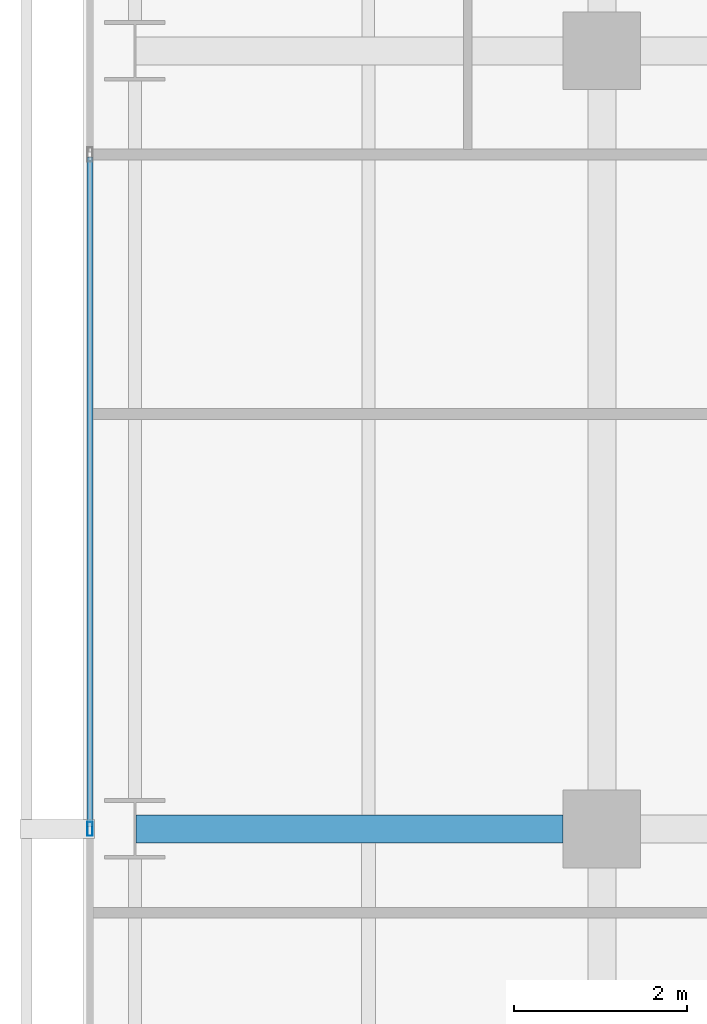
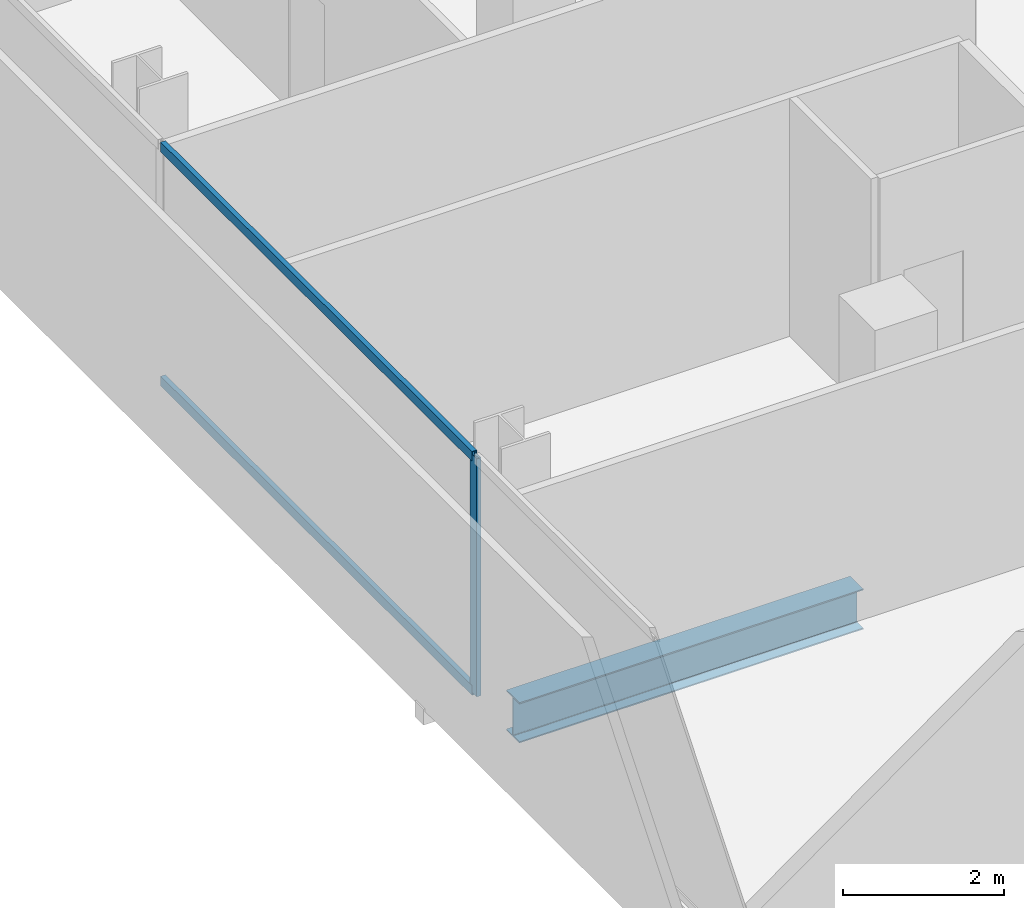
# One storey, part 12 of 40: 3 members, 1 beam, 1 element without a shape of its own.
"""IFC4 building model written with IfcOpenShell, lengths in metres."""

import ifcopenshell
import ifcopenshell.guid

model = None  # the IFC model being written
_history = None  # IfcOwnerHistory: only IFC2X3 demands one
_inside = {}  # id of a spatial element -> (the spatial element, [elements in it])
_under = {}  # id of a project, library or spatial element -> (it, [spatial elements below it])
_declared = {}  # id of a project -> (the project, [libraries it declares])
_typed = {}  # id of a type object -> (the type object, [elements of that type])
_made_of = {}  # id of a material, layer set ... -> (it, [elements and type objects made of it])


def new_model(schema):
    """Start an empty IFC model of exactly this schema.

    Asked for "IFC4X3", IfcOpenShell would pick the latest addendum, in which some entities
    have other attributes; the version numbers below select the first issue.
    IFC2X3 requires an IfcOwnerHistory on every rooted entity: one is made here for all.
    """
    global model, _history
    if schema == "IFC4X3":
        model = ifcopenshell.file(schema_version=(4, 3, 0, 0))
    else:
        model = ifcopenshell.file(schema=schema)
    _inside.clear()
    _under.clear()
    _declared.clear()
    _typed.clear()
    _made_of.clear()
    _history = None
    if model.schema == "IFC2X3":
        org = make("IfcOrganization", Name="unknown")
        user = make(
            "IfcPersonAndOrganization",
            ThePerson=make("IfcPerson", FamilyName="unknown"),
            TheOrganization=org,
        )
        app = make(
            "IfcApplication",
            ApplicationDeveloper=org,
            Version="unknown",
            ApplicationFullName="unknown",
            ApplicationIdentifier="unknown",
        )
        _history = make(
            "IfcOwnerHistory",
            OwningUser=user,
            OwningApplication=app,
            ChangeAction="ADDED",
            CreationDate=0,
        )
    return model


def make(cls, **values):
    """One entity of the class cls with the attributes given. An attribute that is None is left unset."""
    return model.create_entity(
        cls, **{name: value for name, value in values.items() if value is not None}
    )


def rooted(cls, **values):
    """An entity with a GlobalId (a new one), such as an element, a storey or a relation."""
    return make(cls, GlobalId=ifcopenshell.guid.new(), OwnerHistory=_history, **values)


def si_unit(unit_type, name, prefix=None):
    """IfcSIUnit, for example si_unit("LENGTHUNIT", "METRE", prefix="MILLI")."""
    return make("IfcSIUnit", UnitType=unit_type, Prefix=prefix, Name=name)


def assignment(units):
    """IfcUnitAssignment: the units of a project."""
    return None if units is None else make("IfcUnitAssignment", Units=units)


def point(xyz):
    """IfcCartesianPoint."""
    return None if xyz is None else make("IfcCartesianPoint", Coordinates=xyz)


def direction(xyz):
    """IfcDirection."""
    return None if xyz is None else make("IfcDirection", DirectionRatios=xyz)


def frame(location, z_axis=None, x_axis=None):
    """IfcAxis2Placement3D, a coordinate frame: its origin and axes. An axis left out is left unset."""
    return make(
        "IfcAxis2Placement3D",
        Location=point(location),
        Axis=direction(z_axis),
        RefDirection=direction(x_axis),
    )


def frame_2d(location, x_axis=None):
    """IfcAxis2Placement2D, a coordinate frame in the plane: its origin and x axis."""
    return make(
        "IfcAxis2Placement2D", Location=point(location), RefDirection=direction(x_axis)
    )


def origin():
    """The frame at (0, 0, 0) with its axes left unset."""
    return frame((0.0, 0.0, 0.0))


def origin_2d():
    """The frame at (0, 0) in the plane with its x axis left unset."""
    return frame_2d((0.0, 0.0))


def place(relative_to, where):
    """IfcLocalPlacement: puts the frame where relative to a parent placement (None: the world)."""
    return make(
        "IfcLocalPlacement", PlacementRelTo=relative_to, RelativePlacement=where
    )


def context(
    kind, dimensions, precision=None, world=None, true_north=None, identifier=None
):
    """IfcGeometricRepresentationContext, for example the 3D "Model" context."""
    return make(
        "IfcGeometricRepresentationContext",
        ContextIdentifier=identifier,
        ContextType=kind,
        CoordinateSpaceDimension=dimensions,
        Precision=precision,
        WorldCoordinateSystem=world,
        TrueNorth=true_north,
    )


def subcontext(parent, identifier, kind, view, scale=None):
    """IfcGeometricRepresentationSubContext, for example "Body" below "Model"."""
    return make(
        "IfcGeometricRepresentationSubContext",
        ContextIdentifier=identifier,
        ContextType=kind,
        ParentContext=parent,
        TargetScale=scale,
        TargetView=view,
    )


def project(units=None, contexts=None):
    """IfcProject with its units and contexts."""
    return rooted(
        "IfcProject",
        Name="project",
        RepresentationContexts=contexts,
        UnitsInContext=assignment(units),
    )


def spatial(cls, under=None, at=None, **own):
    """A site, building, storey or space (cls), placed at a placement, below another one or the project."""
    s = rooted(cls, ObjectPlacement=at, **own)
    if under is not None:
        _under.setdefault(under.id(), (under, []))[1].append(s)
    return s


def profile(cls, at=None, kind="AREA", **sizes):
    """A parametric profile (cls). Its sizes go by their IFC names, for example OverallWidth=200.0."""
    return make(cls, ProfileType=kind, Position=at, **sizes)


def hollow_rectangle(**sizes):
    """IfcRectangleHollowProfileDef."""
    return profile("IfcRectangleHollowProfileDef", **sizes)


def i_section(**sizes):
    """IfcIShapeProfileDef."""
    return profile("IfcIShapeProfileDef", **sizes)


def extrude(swept, where, along, depth):
    """IfcExtrudedAreaSolid: the profile swept, set in the frame where, extruded along a direction by depth."""
    return make(
        "IfcExtrudedAreaSolid",
        SweptArea=swept,
        Position=where,
        ExtrudedDirection=direction(along),
        Depth=depth,
    )


def shape(context_of_items, identifier, shape_type, items):
    """IfcShapeRepresentation: the items that make up one representation, for example the "Body"."""
    return make(
        "IfcShapeRepresentation",
        ContextOfItems=context_of_items,
        RepresentationIdentifier=identifier,
        RepresentationType=shape_type,
        Items=items,
    )


def material(Name=None, Category=None):
    """IfcMaterial."""
    return make("IfcMaterial", Name=Name, Category=Category)


def layer(
    of_material, thickness, ventilated=None, Name=None, Category=None, Priority=None
):
    """IfcMaterialLayer: one layer of a wall or slab, of a material (None: an air gap)."""
    return make(
        "IfcMaterialLayer",
        Material=of_material,
        LayerThickness=thickness,
        IsVentilated=ventilated,
        Name=Name,
        Category=Category,
        Priority=Priority,
    )


def layer_set(layers, Name=None):
    """IfcMaterialLayerSet."""
    return make("IfcMaterialLayerSet", MaterialLayers=layers, LayerSetName=Name)


def material_profile(
    of_material, cross_section, Name=None, Category=None, Priority=None
):
    """IfcMaterialProfile: a cross section and its material."""
    return make(
        "IfcMaterialProfile",
        Name=Name,
        Material=of_material,
        Profile=cross_section,
        Priority=Priority,
        Category=Category,
    )


def profile_set(profiles, Name=None, composite=None):
    """IfcMaterialProfileSet."""
    return make(
        "IfcMaterialProfileSet",
        Name=Name,
        MaterialProfiles=profiles,
        CompositeProfile=composite,
    )


def made_of(thing, what):
    """Note that an element or type object is made of a material, layer set ...; save() writes the relation."""
    if what is not None:
        _made_of.setdefault(what.id(), (what, []))[1].append(thing)
    return thing


def type_object(cls, material=None, **own):
    """A type object (cls), such as IfcWallType, which elements share."""
    return made_of(rooted(cls, **own), material)


def element(
    cls,
    number,
    at=None,
    inside=None,
    cuts=None,
    type_object=None,
    material=None,
    context=None,
    identifier="Body",
    shape_type=None,
    held_by="IfcProductDefinitionShape",
    body=None,
    shapes=None,
    **own,
):
    """One element of the class cls, such as IfcWall. Its Tag is "e" and its number.

    at: its placement. inside: the storey or other place that contains it. cuts: it is an
    opening in that element (IfcRelVoidsElement). A single representation is given by context,
    identifier, shape_type and body (its items); several are given by shapes. held_by: the class
    of the entity that holds the representations. save() writes the other relations.
    """
    e = rooted(cls, Tag="e%d" % number, ObjectPlacement=at, **own)
    if body is not None:
        shapes = [shape(context, identifier, shape_type, body)]
    if shapes is not None:
        e.Representation = make(held_by, Representations=shapes)
    if inside is not None:
        _inside.setdefault(inside.id(), (inside, []))[1].append(e)
    if cuts is not None:
        rooted(
            "IfcRelVoidsElement", RelatingBuildingElement=cuts, RelatedOpeningElement=e
        )
    if type_object is not None:
        _typed.setdefault(type_object.id(), (type_object, []))[1].append(e)
    return made_of(e, material)


def aggregate(whole, parts):
    """IfcRelAggregates: a whole, such as a stair, and the parts it consists of."""
    return rooted("IfcRelAggregates", RelatingObject=whole, RelatedObjects=parts)


def save(model, path):
    """Write the relations noted so far, then the file.

    IfcRelAggregates (storeys below a building ...), IfcRelContainedInSpatialStructure (elements
    in a storey), IfcRelDefinesByType, IfcRelAssociatesMaterial and IfcRelDeclares: one each for
    every whole, place, type object, material and project.
    """
    for whole, parts in _under.values():
        aggregate(whole, parts)
    for where, things in _inside.values():
        rooted(
            "IfcRelContainedInSpatialStructure",
            RelatedElements=things,
            RelatingStructure=where,
        )
    for kind, things in _typed.values():
        rooted("IfcRelDefinesByType", RelatedObjects=things, RelatingType=kind)
    for what, things in _made_of.values():
        rooted("IfcRelAssociatesMaterial", RelatedObjects=things, RelatingMaterial=what)
    for by, libraries in _declared.values():
        rooted("IfcRelDeclares", RelatingContext=by, RelatedDefinitions=libraries)
    model.write(path)


model = new_model("IFC4")

# Units and contexts
model_context = context("Model", 3, precision=1e-05, world=origin(), true_north=direction((0.0, 1.0)))
body_context = subcontext(model_context, "Body", "Model", "MODEL_VIEW")
ifc_project = project(units=[si_unit("LENGTHUNIT", "METRE"), si_unit("AREAUNIT", "SQUARE_METRE"), si_unit("VOLUMEUNIT", "CUBIC_METRE"), si_unit("PLANEANGLEUNIT", "RADIAN"), si_unit("MASSUNIT", "GRAM", prefix="KILO")], contexts=[model_context])

# Site, building, storey
site_placement = place(None, origin())
site = spatial("IfcSite", under=ifc_project, at=site_placement, CompositionType="ELEMENT")
building_placement = place(site_placement, origin())
building = spatial("IfcBuilding", under=site, at=building_placement, Name="Maruvema Waterfront Hotel and Observation Tower", CompositionType="ELEMENT")
storey_placement = place(building_placement, frame((0.0, 0.0, 96.25)))
storey = spatial("IfcBuildingStorey", under=building, at=storey_placement, Name="L23", CompositionType="ELEMENT", Elevation=96.25)

# Curtain wall, members
ifc_material_1 = material(Name="Anodised bronze aluminium and solar-control low-E IGU", Category="aluminium")
ifc_layer = layer(ifc_material_1, 0.159912109375, Name="Zone 1 Bronze Inner Thermal Curtain Wall System CW-02")
ifc_layer_set = layer_set([ifc_layer], Name="Anodised bronze aluminium and solar-control low-E IGU")
curtain_wall_type = type_object("IfcCurtainWallType", Name="Zone 1 Bronze Inner Thermal Curtain Wall System CW-02", PredefinedType="USERDEFINED", material=ifc_layer_set)
curtain_wall_placement = place(storey_placement, origin())
curtain_wall = element("IfcCurtainWall", 1, at=curtain_wall_placement, inside=storey, type_object=curtain_wall_type, Name="L23 Curtain Wall CW-L23-W", ObjectType="UNITISED CURTAIN WALL", PredefinedType="USERDEFINED")
ifc_material_2 = material(Name="Anodised architectural bronze aluminium", Category="aluminium")
ifc_material_profile_1 = material_profile(ifc_material_2, hollow_rectangle(XDim=0.070068359375, YDim=0.14990234375, WallThickness=0.00390625, at=origin_2d()), Name="ALU-T70x150")
ifc_profile_set_1 = profile_set([ifc_material_profile_1], Name="Anodised architectural bronze aluminium")
member_type_1 = type_object("IfcMemberType", Name="Curtain Wall Horizontal Transom ALU-T70x150", PredefinedType="USERDEFINED", material=ifc_profile_set_1)
member_1_placement = place(storey_placement, frame((10.8798828125, 34.77001953125, 0.030029296875), z_axis=(0.0, -1.0, 0.0), x_axis=(1.0, 0.0, 0.0)))
member_1 = element("IfcMember", 2, at=member_1_placement, type_object=member_type_1, Name="CW-02 transom 3.1", ObjectType="TRANSOM", PredefinedType="USERDEFINED", context=body_context, shape_type="SweptSolid", body=[
    extrude(hollow_rectangle(XDim=0.070068359375, YDim=0.14990234375, WallThickness=0.00390625, at=origin_2d()), origin(), (0.0, 0.0, 1.0), 7.739990234375),
])
member_2_placement = place(storey_placement, frame((10.8798828125, 34.77001953125, 3.580078125), z_axis=(0.0, -1.0, 0.0), x_axis=(1.0, 0.0, 0.0)))
member_2 = element("IfcMember", 3, at=member_2_placement, type_object=member_type_1, Name="CW-02 transom 3.2", ObjectType="TRANSOM", PredefinedType="USERDEFINED", context=body_context, shape_type="SweptSolid", body=[
    extrude(hollow_rectangle(XDim=0.070068359375, YDim=0.14990234375, WallThickness=0.00390625, at=origin_2d()), origin(), (0.0, 0.0, 1.0), 7.739990234375),
])
ifc_material_3 = material(Name="Anodised architectural bronze aluminium", Category="aluminium")
ifc_material_profile_2 = material_profile(ifc_material_3, hollow_rectangle(XDim=0.06494140625, YDim=0.1650390625, WallThickness=0.00390625, at=origin_2d()), Name="ALU-M65x165")
ifc_profile_set_2 = profile_set([ifc_material_profile_2], Name="Anodised architectural bronze aluminium")
member_type_2 = type_object("IfcMemberType", Name="Curtain Wall Primary Mullion ALU-M65x165", PredefinedType="MULLION", material=ifc_profile_set_2)
member_3_placement = place(storey_placement, frame((10.8798828125, 27.0, 0.0), z_axis=(0.0, 0.0, 1.0), x_axis=(1.0, 0.0, 0.0)))
member_3 = element("IfcMember", 4, at=member_3_placement, type_object=member_type_2, Name="CW-02 mullion 4", PredefinedType="MULLION", context=body_context, shape_type="SweptSolid", body=[
    extrude(hollow_rectangle(XDim=0.06494140625, YDim=0.1650390625, WallThickness=0.00390625, at=origin_2d()), origin(), (0.0, 0.0, 1.0), 3.610107421875),
])
aggregate(curtain_wall, [member_3, member_1, member_2])

# Beam
ifc_material_4 = material(Name="Steel ASTM A572 Grade 50", Category="steel")
ifc_material_profile_3 = material_profile(ifc_material_4, i_section(OverallWidth=0.323974609375, OverallDepth=0.611083984375, WebThickness=0.0126953125, FlangeThickness=0.01904296875, FilletRadius=0.01806640625, at=origin_2d()), Name="W610x155.0")
ifc_profile_set_3 = profile_set([ifc_material_profile_3], Name="Steel ASTM A572 Grade 50")
beam_type = type_object("IfcBeamType", Name="Primary Floor Girder W610x155.0", PredefinedType="BEAM", material=ifc_profile_set_3)
beam_placement = place(storey_placement, frame((11.4140625, 27.0, -0.54541015625), z_axis=(1.0, 0.0, 0.0), x_axis=(0.0, 1.0, 0.0)))
element("IfcBeam", 5, at=beam_placement, inside=storey, type_object=beam_type, Name="L23 Floor Girder EW-20", PredefinedType="BEAM", context=body_context, shape_type="SweptSolid", body=[
    extrude(i_section(OverallWidth=0.323974609375, OverallDepth=0.611083984375, WebThickness=0.0126953125, FlangeThickness=0.01904296875, FilletRadius=0.01806640625, at=origin_2d()), origin(), (0.0, 0.0, 1.0), 4.93603515625),
])

save(model, "model.ifc")
